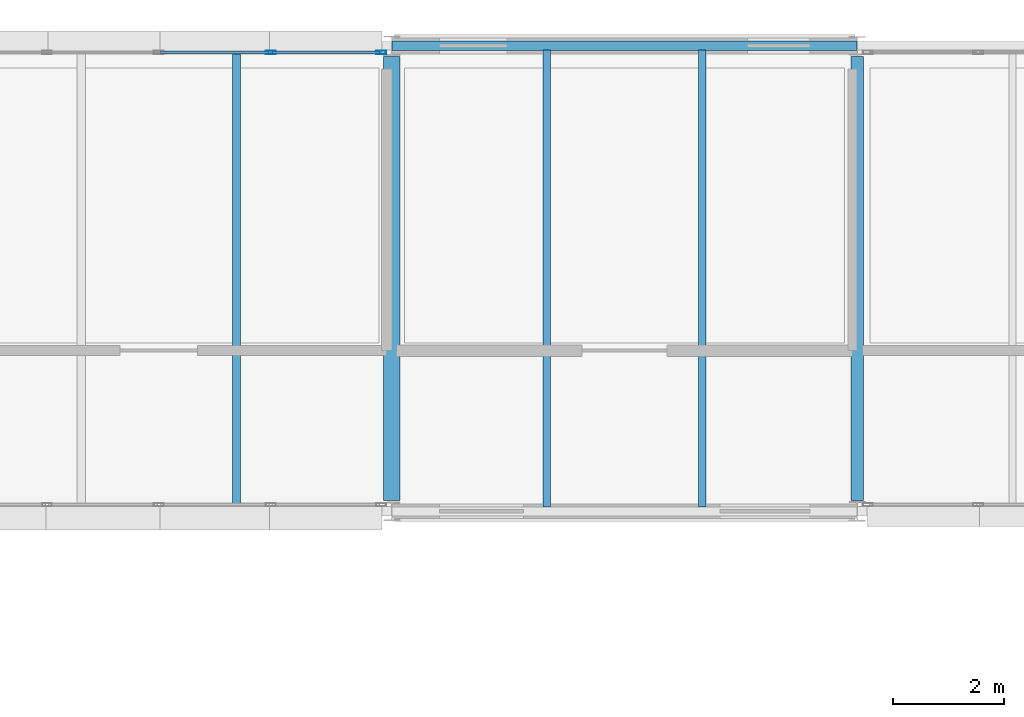
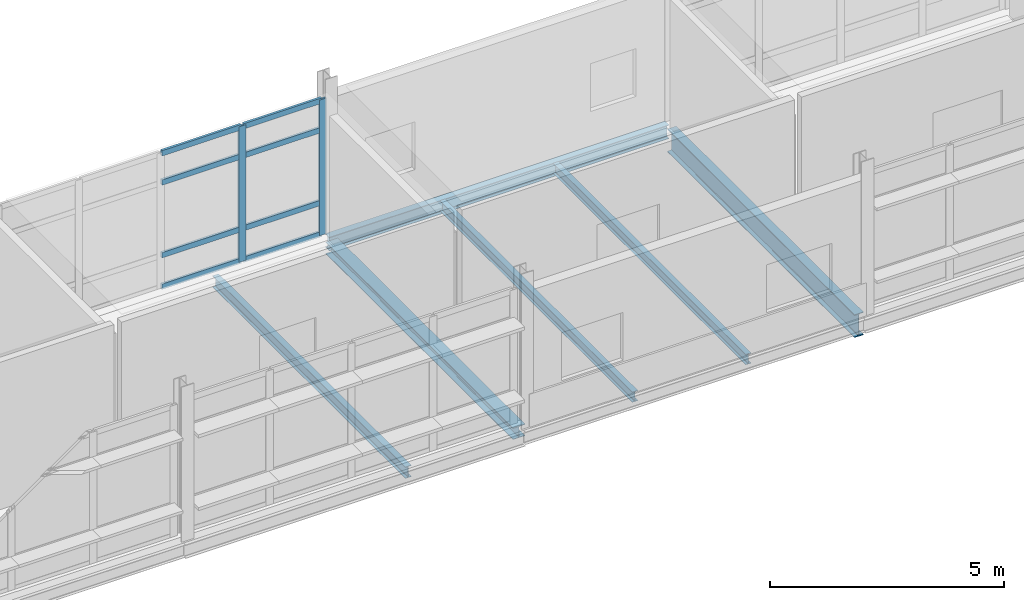
# One storey, part 15 of 66: 10 members, 6 beams, 1 element without a shape of its own.
"""IFC4 building model written with IfcOpenShell, lengths in metres."""

from ifc_helpers import new_model, si_unit, direction, frame, origin, origin_2d, place, context, subcontext, project, spatial, hollow_rectangle, i_section, extrude, material, material_profile, profile_set, type_object, element, aggregate, save


model = new_model("IFC4")

# Units and contexts
model_context = context("Model", 3, precision=1e-05, world=origin(), true_north=direction((0.0, 1.0)))
body_context = subcontext(model_context, "Body", "Model", "MODEL_VIEW")
ifc_project = project(units=[si_unit("LENGTHUNIT", "METRE"), si_unit("AREAUNIT", "SQUARE_METRE"), si_unit("VOLUMEUNIT", "CUBIC_METRE"), si_unit("PLANEANGLEUNIT", "RADIAN"), si_unit("MASSUNIT", "GRAM", prefix="KILO")], contexts=[model_context])

# Site, building, storey
site_placement = place(None, origin())
site = spatial("IfcSite", under=ifc_project, at=site_placement, CompositionType="ELEMENT")
building_placement = place(site_placement, origin())
building = spatial("IfcBuilding", under=site, at=building_placement, Name="Mersafa Astral City Hall", CompositionType="ELEMENT")
storey_placement = place(building_placement, frame((0.0, 0.0, 22.050048828125)))
storey = spatial("IfcBuildingStorey", under=building, at=storey_placement, Name="L05", CompositionType="ELEMENT", Elevation=22.050048828125)

# Curtain wall, members
ifc_material_1 = material(Name="Anodised bronze aluminium framing", Category="aluminium")
curtain_wall_type = type_object("IfcCurtainWallType", Name="ENV-CW-6", PredefinedType="USERDEFINED", material=ifc_material_1)
curtain_wall_placement = place(storey_placement, origin())
curtain_wall = element("IfcCurtainWall", 1, at=curtain_wall_placement, inside=storey, type_object=curtain_wall_type, Name="L05 Unitised solar curtain wall 233", ObjectType="UNITISED CURTAIN WALL", PredefinedType="USERDEFINED")
ifc_material_profile_1 = material_profile(ifc_material_1, hollow_rectangle(XDim=0.06005859375, YDim=0.179931640625, WallThickness=0.00390625, at=origin_2d()), Name="RHS 60x180x4")
ifc_profile_set_1 = profile_set([ifc_material_profile_1], Name="Anodised bronze aluminium framing")
member_type_1 = type_object("IfcMemberType", Name="ENV-CW-MUL-1", PredefinedType="MULLION", material=ifc_profile_set_1)
member_1_placement = place(storey_placement, frame((75.407958984375, 125.8798828125, -0.001953125), z_axis=(0.0, 0.0, 1.0), x_axis=(0.0, -1.0, 0.0)))
member_1 = element("IfcMember", 2, at=member_1_placement, type_object=member_type_1, Name="CW-6 mullion 1", PredefinedType="MULLION", context=body_context, shape_type="SweptSolid", body=[
    extrude(hollow_rectangle(XDim=0.06005859375, YDim=0.179931640625, WallThickness=0.00390625, at=origin_2d()), origin(), (0.0, 0.0, 1.0), 3.5439453125),
])
member_2_placement = place(storey_placement, frame((73.4189453125, 125.8798828125, -0.001953125), z_axis=(0.0, 0.0, 1.0), x_axis=(0.0, -1.0, 0.0)))
member_2 = element("IfcMember", 3, at=member_2_placement, type_object=member_type_1, Name="CW-6 mullion 2", PredefinedType="MULLION", context=body_context, shape_type="SweptSolid", body=[
    extrude(hollow_rectangle(XDim=0.06005859375, YDim=0.179931640625, WallThickness=0.00390625, at=origin_2d()), origin(), (0.0, 0.0, 1.0), 3.5439453125),
])
ifc_material_profile_2 = material_profile(ifc_material_1, hollow_rectangle(XDim=0.06005859375, YDim=0.139892578125, WallThickness=0.00390625, at=origin_2d()), Name="RHS 60x140x4")
ifc_profile_set_2 = profile_set([ifc_material_profile_2], Name="Anodised bronze aluminium framing")
member_type_2 = type_object("IfcMemberType", Name="ENV-CW-TRN-1", PredefinedType="USERDEFINED", material=ifc_profile_set_2)
member_3_placement = place(storey_placement, frame((75.3779296875, 125.8798828125, 0.02783203125), z_axis=(-1.0, 0.0, 0.0), x_axis=(0.0, -1.0, 0.0)))
member_3 = element("IfcMember", 4, at=member_3_placement, type_object=member_type_2, Name="CW-6 transom 1.1", ObjectType="TRANSOM", PredefinedType="USERDEFINED", context=body_context, shape_type="SweptSolid", body=[
    extrude(hollow_rectangle(XDim=0.06005859375, YDim=0.139892578125, WallThickness=0.00390625, at=origin_2d()), origin(), (0.0, 0.0, 1.0), 1.928955078125),
])
member_4_placement = place(storey_placement, frame((75.3779296875, 125.8798828125, 0.849853515625), z_axis=(-1.0, 0.0, 0.0), x_axis=(0.0, -1.0, 0.0)))
member_4 = element("IfcMember", 5, at=member_4_placement, type_object=member_type_2, Name="CW-6 transom 1.2", ObjectType="TRANSOM", PredefinedType="USERDEFINED", context=body_context, shape_type="SweptSolid", body=[
    extrude(hollow_rectangle(XDim=0.06005859375, YDim=0.139892578125, WallThickness=0.00390625, at=origin_2d()), origin(), (0.0, 0.0, 1.0), 1.928955078125),
])
member_5_placement = place(storey_placement, frame((75.3779296875, 125.8798828125, 2.75), z_axis=(-1.0, 0.0, 0.0), x_axis=(0.0, -1.0, 0.0)))
member_5 = element("IfcMember", 6, at=member_5_placement, type_object=member_type_2, Name="CW-6 transom 1.3", ObjectType="TRANSOM", PredefinedType="USERDEFINED", context=body_context, shape_type="SweptSolid", body=[
    extrude(hollow_rectangle(XDim=0.06005859375, YDim=0.139892578125, WallThickness=0.00390625, at=origin_2d()), origin(), (0.0, 0.0, 1.0), 1.928955078125),
])
member_6_placement = place(storey_placement, frame((75.3779296875, 125.8798828125, 3.511962890625), z_axis=(-1.0, 0.0, 0.0), x_axis=(0.0, -1.0, 0.0)))
member_6 = element("IfcMember", 7, at=member_6_placement, type_object=member_type_2, Name="CW-6 transom 1.4", ObjectType="TRANSOM", PredefinedType="USERDEFINED", context=body_context, shape_type="SweptSolid", body=[
    extrude(hollow_rectangle(XDim=0.06005859375, YDim=0.139892578125, WallThickness=0.00390625, at=origin_2d()), origin(), (0.0, 0.0, 1.0), 1.928955078125),
])
member_7_placement = place(storey_placement, frame((73.388916015625, 125.8798828125, 0.02783203125), z_axis=(-1.0, 0.0, 0.0), x_axis=(0.0, -1.0, 0.0)))
member_7 = element("IfcMember", 8, at=member_7_placement, type_object=member_type_2, Name="CW-6 transom 2.1", ObjectType="TRANSOM", PredefinedType="USERDEFINED", context=body_context, shape_type="SweptSolid", body=[
    extrude(hollow_rectangle(XDim=0.06005859375, YDim=0.139892578125, WallThickness=0.00390625, at=origin_2d()), origin(), (0.0, 0.0, 1.0), 1.958984375),
])
member_8_placement = place(storey_placement, frame((73.388916015625, 125.8798828125, 0.849853515625), z_axis=(-1.0, 0.0, 0.0), x_axis=(0.0, -1.0, 0.0)))
member_8 = element("IfcMember", 9, at=member_8_placement, type_object=member_type_2, Name="CW-6 transom 2.2", ObjectType="TRANSOM", PredefinedType="USERDEFINED", context=body_context, shape_type="SweptSolid", body=[
    extrude(hollow_rectangle(XDim=0.06005859375, YDim=0.139892578125, WallThickness=0.00390625, at=origin_2d()), origin(), (0.0, 0.0, 1.0), 1.958984375),
])
member_9_placement = place(storey_placement, frame((73.388916015625, 125.8798828125, 2.75), z_axis=(-1.0, 0.0, 0.0), x_axis=(0.0, -1.0, 0.0)))
member_9 = element("IfcMember", 10, at=member_9_placement, type_object=member_type_2, Name="CW-6 transom 2.3", ObjectType="TRANSOM", PredefinedType="USERDEFINED", context=body_context, shape_type="SweptSolid", body=[
    extrude(hollow_rectangle(XDim=0.06005859375, YDim=0.139892578125, WallThickness=0.00390625, at=origin_2d()), origin(), (0.0, 0.0, 1.0), 1.958984375),
])
member_10_placement = place(storey_placement, frame((73.388916015625, 125.8798828125, 3.511962890625), z_axis=(-1.0, 0.0, 0.0), x_axis=(0.0, -1.0, 0.0)))
member_10 = element("IfcMember", 11, at=member_10_placement, type_object=member_type_2, Name="CW-6 transom 2.4", ObjectType="TRANSOM", PredefinedType="USERDEFINED", context=body_context, shape_type="SweptSolid", body=[
    extrude(hollow_rectangle(XDim=0.06005859375, YDim=0.139892578125, WallThickness=0.00390625, at=origin_2d()), origin(), (0.0, 0.0, 1.0), 1.958984375),
])
aggregate(curtain_wall, [member_1, member_2, member_3, member_4, member_5, member_6, member_7, member_8, member_9, member_10])

# Beams
ifc_material_2 = material(Name="Steel S355", Category="steel")
ifc_material_profile_3 = material_profile(ifc_material_2, i_section(OverallWidth=0.300048828125, OverallDepth=0.31005859375, WebThickness=0.009033203125, FlangeThickness=0.015380859375, FilletRadius=0.027099609375, at=origin_2d()), Name="HEA 320")
ifc_profile_set_3 = profile_set([ifc_material_profile_3], Name="Steel S355")
beam_type_1 = type_object("IfcBeamType", Name="STR-BM-HEA320", PredefinedType="BEAM", material=ifc_profile_set_3)
beam_1_placement = place(storey_placement, frame((75.60009765625, 117.794921875, -0.3349609375), z_axis=(0.0, 1.0, 0.0), x_axis=(-1.0, 0.0, 0.0)))
element("IfcBeam", 12, at=beam_1_placement, inside=storey, type_object=beam_type_1, Name="L05 Primary girder Y 9-14", PredefinedType="BEAM", context=body_context, shape_type="SweptSolid", body=[
    extrude(i_section(OverallWidth=0.300048828125, OverallDepth=0.31005859375, WebThickness=0.009033203125, FlangeThickness=0.015380859375, FilletRadius=0.027099609375, at=origin_2d()), origin(), (0.0, 0.0, 1.0), 8.010009765625),
])
ifc_material_profile_4 = material_profile(ifc_material_2, i_section(OverallWidth=0.219970703125, OverallDepth=0.60009765625, WebThickness=0.011962890625, FlangeThickness=0.01904296875, FilletRadius=0.02392578125, at=origin_2d()), Name="IPE 600")
ifc_profile_set_4 = profile_set([ifc_material_profile_4], Name="Steel S355")
beam_type_2 = type_object("IfcBeamType", Name="STR-BM-IPE600", PredefinedType="BEAM", material=ifc_profile_set_4)
beam_2_placement = place(storey_placement, frame((84.0, 117.794921875, -0.47998046875), z_axis=(0.0, 1.0, 0.0), x_axis=(-1.0, 0.0, 0.0)))
element("IfcBeam", 13, at=beam_2_placement, inside=storey, type_object=beam_type_2, Name="L05 Primary girder Y 10-14", PredefinedType="BEAM", context=body_context, shape_type="SweptSolid", body=[
    extrude(i_section(OverallWidth=0.219970703125, OverallDepth=0.60009765625, WebThickness=0.011962890625, FlangeThickness=0.01904296875, FilletRadius=0.02392578125, at=origin_2d()), origin(), (0.0, 0.0, 1.0), 8.010009765625),
])
ifc_material_profile_5 = material_profile(ifc_material_2, i_section(OverallWidth=0.135009765625, OverallDepth=0.27001953125, WebThickness=0.006591796875, FlangeThickness=0.01025390625, FilletRadius=0.014892578125, at=origin_2d()), Name="IPE 270")
ifc_profile_set_5 = profile_set([ifc_material_profile_5], Name="Steel S355")
beam_type_3 = type_object("IfcBeamType", Name="STR-BM-JOIST-IPE270", PredefinedType="JOIST", material=ifc_profile_set_5)
for number, where, z_axis, x_axis, name in (
    (14, (78.39990234375, 117.675048828125, -0.31494140625), (0.0, 1.0, 0.0), (-1.0, 0.0, 0.0), "L05 Composite secondary floor joist 793"),
    (15, (81.199951171875, 117.675048828125, -0.31494140625), (0.0, 1.0, 0.0), (-1.0, 0.0, 0.0), "L05 Composite secondary floor joist 794"),
):
    element("IfcBeam", number, at=place(storey_placement, frame(where, z_axis=z_axis, x_axis=x_axis)), inside=storey, type_object=beam_type_3, Name=name, PredefinedType="JOIST", context=body_context, shape_type="SweptSolid", body=[
        extrude(i_section(OverallWidth=0.135009765625, OverallDepth=0.27001953125, WebThickness=0.006591796875, FlangeThickness=0.01025390625, FilletRadius=0.014892578125, at=origin_2d()), origin(), (0.0, 0.0, 1.0), 8.244873046875),
    ])
ifc_material_profile_6 = material_profile(ifc_material_2, i_section(OverallWidth=0.14990234375, OverallDepth=0.300048828125, WebThickness=0.007080078125, FlangeThickness=0.0107421875, FilletRadius=0.014892578125, at=origin_2d()), Name="IPE 300")
ifc_profile_set_6 = profile_set([ifc_material_profile_6], Name="Steel S355")
beam_type_4 = type_object("IfcBeamType", Name="STR-BM-JOIST-IPE300", PredefinedType="JOIST", material=ifc_profile_set_6)
beam_3_placement = place(storey_placement, frame((72.800048828125, 117.679931640625, -0.330078125), z_axis=(0.0, 1.0, 0.0), x_axis=(-1.0, 0.0, 0.0)))
element("IfcBeam", 16, at=beam_3_placement, inside=storey, type_object=beam_type_4, Name="L05 Composite secondary floor joist 792", PredefinedType="JOIST", context=body_context, shape_type="SweptSolid", body=[
    extrude(i_section(OverallWidth=0.14990234375, OverallDepth=0.300048828125, WebThickness=0.007080078125, FlangeThickness=0.0107421875, FilletRadius=0.014892578125, at=origin_2d()), origin(), (0.0, 0.0, 1.0), 8.2451171875),
])
ifc_material_profile_7 = material_profile(ifc_material_2, i_section(OverallWidth=0.169921875, OverallDepth=0.360107421875, WebThickness=0.008056640625, FlangeThickness=0.0126953125, FilletRadius=0.01806640625, at=origin_2d()), Name="IPE 360")
ifc_profile_set_7 = profile_set([ifc_material_profile_7], Name="Steel S355")
beam_type_5 = type_object("IfcBeamType", Name="STR-BM-SPANDREL-IPE360", PredefinedType="SPANDREL", material=ifc_profile_set_7)
beam_4_placement = place(storey_placement, frame((75.60302734375, 126.0, -0.360107421875), z_axis=(1.0, 0.0, 0.0), x_axis=(0.0, 1.0, 0.0)))
element("IfcBeam", 17, at=beam_4_placement, inside=storey, type_object=beam_type_5, Name="L05 Primary girder X 9-15", PredefinedType="SPANDREL", context=body_context, shape_type="SweptSolid", body=[
    extrude(i_section(OverallWidth=0.169921875, OverallDepth=0.360107421875, WebThickness=0.008056640625, FlangeThickness=0.0126953125, FilletRadius=0.01806640625, at=origin_2d()), origin(), (0.0, 0.0, 1.0), 8.39404296875),
])

save(model, "model.ifc")
